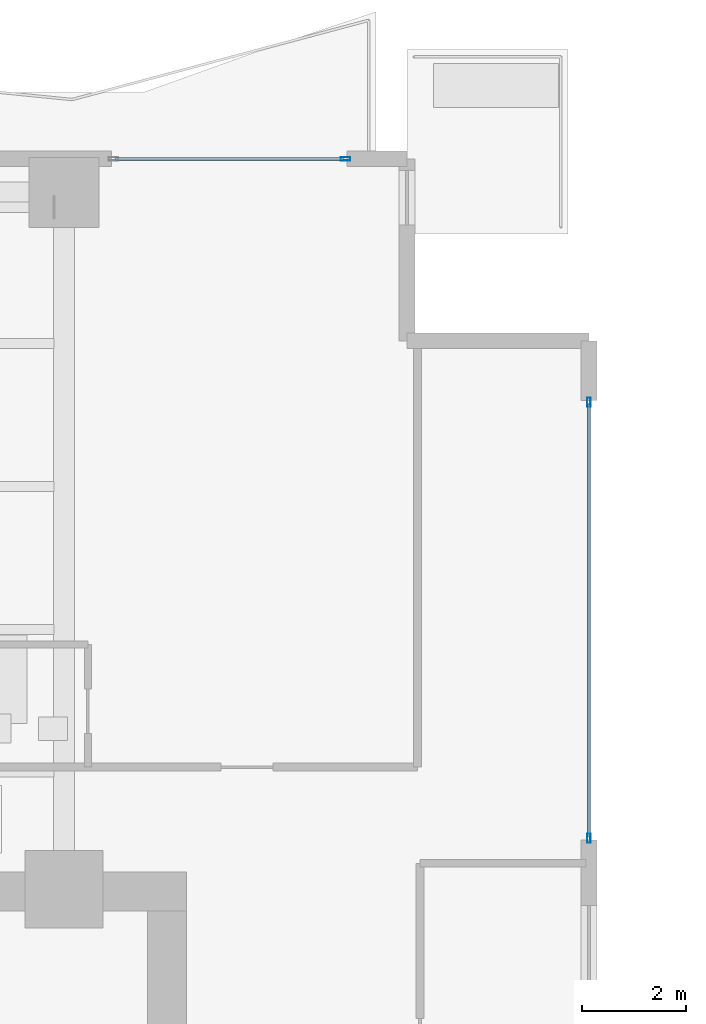
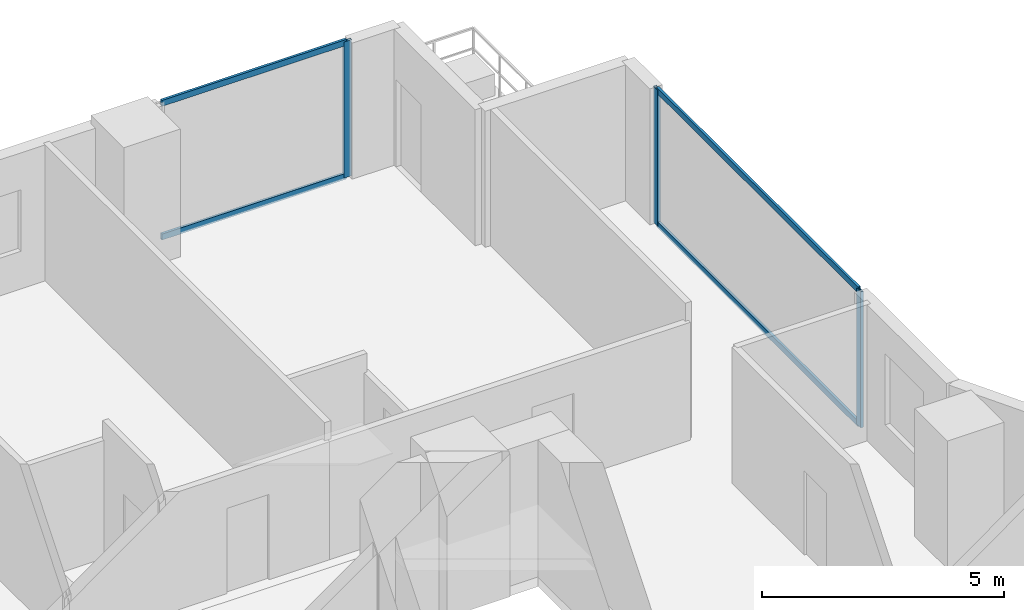
# One storey, part 18 of 29: 7 members, 2 elements without a shape of their own.
"""IFC4 building model written with IfcOpenShell, lengths in metres."""

from ifc_helpers import new_model, si_unit, direction, frame, origin, origin_2d, place, context, subcontext, project, spatial, hollow_rectangle, extrude, material, layer, layer_set, material_profile, profile_set, type_object, element, aggregate, save


model = new_model("IFC4")

# Units and contexts
model_context = context("Model", 3, precision=1e-05, world=origin(), true_north=direction((0.0, 1.0)))
body_context = subcontext(model_context, "Body", "Model", "MODEL_VIEW")
ifc_project = project(units=[si_unit("LENGTHUNIT", "METRE"), si_unit("AREAUNIT", "SQUARE_METRE"), si_unit("VOLUMEUNIT", "CUBIC_METRE"), si_unit("PLANEANGLEUNIT", "RADIAN"), si_unit("MASSUNIT", "GRAM", prefix="KILO")], contexts=[model_context])

# Site, building, storey
site_placement = place(None, origin())
site = spatial("IfcSite", under=ifc_project, at=site_placement, CompositionType="ELEMENT")
building_placement = place(site_placement, origin())
building = spatial("IfcBuilding", under=site, at=building_placement, Name="Zuhayl Quay Hotel", CompositionType="ELEMENT")
storey_placement = place(building_placement, frame((0.0, 0.0, 95.64990234375)))
storey = spatial("IfcBuildingStorey", under=building, at=storey_placement, Name="L23", CompositionType="ELEMENT", Elevation=95.64990234375)

# Curtain wall, member
ifc_material_1 = material(Name="Anodised Aluminium 6063-T6", Category="aluminium")
ifc_layer = layer(ifc_material_1, 0.179931640625, Name="Anodised Aluminium 6063-T6", Category="aluminium")
ifc_layer_set = layer_set([ifc_layer], Name="Anodised Aluminium 6063-T6")
curtain_wall_type = type_object("IfcCurtainWallType", Name="CW_SYS_Z2", PredefinedType="USERDEFINED", material=ifc_layer_set)
curtain_wall_1_placement = place(storey_placement, origin())
curtain_wall_1 = element("IfcCurtainWall", 1, at=curtain_wall_1_placement, inside=storey, type_object=curtain_wall_type, Name="L23 Curtain Wall ENV_L23_N_CW4", ObjectType="UNITISED CURTAIN WALL", PredefinedType="USERDEFINED")
ifc_material_2 = material(Name="Black-anodised aluminium 6063-T6", Category="aluminium")
ifc_material_profile_1 = material_profile(ifc_material_2, hollow_rectangle(XDim=0.06494140625, YDim=0.179931640625, WallThickness=0.00341796875, at=origin_2d()), Name="ALU180X65")
ifc_profile_set_1 = profile_set([ifc_material_profile_1], Name="Black-anodised aluminium 6063-T6")
member_type_1 = type_object("IfcMemberType", Name="MB_CW_MUL_180", PredefinedType="MULLION", material=ifc_profile_set_1)
member_1_placement = place(storey_placement, frame((19.217529296875, 28.39990234375, 0.0), z_axis=(0.0, 0.0, 1.0), x_axis=(0.0, 1.0, 0.0)))
member_1 = element("IfcMember", 2, at=member_1_placement, type_object=member_type_1, Name="CW-Z2 mullion 2", PredefinedType="MULLION", context=body_context, shape_type="SweptSolid", body=[
    extrude(hollow_rectangle(XDim=0.06494140625, YDim=0.179931640625, WallThickness=0.00341796875, at=origin_2d()), origin(), (0.0, 0.0, 1.0), 3.43017578125),
])

# Curtain wall, members
curtain_wall_2_placement = place(storey_placement, origin())
curtain_wall_2 = element("IfcCurtainWall", 3, at=curtain_wall_2_placement, inside=storey, type_object=curtain_wall_type, Name="L23 Curtain Wall ENV_L23_E11_CW1", ObjectType="UNITISED CURTAIN WALL", PredefinedType="USERDEFINED")
member_2_placement = place(storey_placement, frame((23.89990234375, 23.717529296875, 0.0), z_axis=(0.0, 0.0, 1.0), x_axis=(1.0, 0.0, 0.0)))
member_2 = element("IfcMember", 4, at=member_2_placement, type_object=member_type_1, Name="CW-Z2 mullion 1", PredefinedType="MULLION", context=body_context, shape_type="SweptSolid", body=[
    extrude(hollow_rectangle(XDim=0.06494140625, YDim=0.179931640625, WallThickness=0.00341796875, at=origin_2d()), origin(), (0.0, 0.0, 1.0), 3.43017578125),
])
member_3_placement = place(storey_placement, frame((23.89990234375, 15.33251953125, 0.0), z_axis=(0.0, 0.0, 1.0), x_axis=(1.0, 0.0, 0.0)))
member_3 = element("IfcMember", 5, at=member_3_placement, type_object=member_type_1, Name="CW-Z2 mullion 2", PredefinedType="MULLION", context=body_context, shape_type="SweptSolid", body=[
    extrude(hollow_rectangle(XDim=0.06494140625, YDim=0.179931640625, WallThickness=0.00341796875, at=origin_2d()), origin(), (0.0, 0.0, 1.0), 3.43017578125),
])

# Member
ifc_material_profile_2 = material_profile(ifc_material_2, hollow_rectangle(XDim=0.06005859375, YDim=0.14990234375, WallThickness=0.00341796875, at=origin_2d()), Name="ALU150X60")
ifc_profile_set_2 = profile_set([ifc_material_profile_2], Name="Black-anodised aluminium 6063-T6")
member_type_2 = type_object("IfcMemberType", Name="MB_CW_TRN_150", PredefinedType="USERDEFINED", material=ifc_profile_set_2)
member_4_placement = place(storey_placement, frame((14.784912109375, 28.39990234375, 0.030029296875), z_axis=(1.0, 0.0, 0.0), x_axis=(0.0, 1.0, 0.0)))
member_4 = element("IfcMember", 6, at=member_4_placement, type_object=member_type_2, Name="CW-Z2 transom 1.1", ObjectType="TRANSOM", PredefinedType="USERDEFINED", context=body_context, shape_type="SweptSolid", body=[
    extrude(hollow_rectangle(XDim=0.06005859375, YDim=0.14990234375, WallThickness=0.00341796875, at=origin_2d()), origin(), (0.0, 0.0, 1.0), 4.400146484375),
])

member_5_placement = place(storey_placement, frame((14.784912109375, 28.39990234375, 3.400146484375), z_axis=(1.0, 0.0, 0.0), x_axis=(0.0, 1.0, 0.0)))
member_5 = element("IfcMember", 7, at=member_5_placement, type_object=member_type_2, Name="CW-Z2 transom 1.2", ObjectType="TRANSOM", PredefinedType="USERDEFINED", context=body_context, shape_type="SweptSolid", body=[
    extrude(hollow_rectangle(XDim=0.06005859375, YDim=0.14990234375, WallThickness=0.00341796875, at=origin_2d()), origin(), (0.0, 0.0, 1.0), 4.400146484375),
])

aggregate(curtain_wall_1, [member_1, member_4, member_5])

member_6_placement = place(storey_placement, frame((23.89990234375, 23.68505859375, 0.030029296875), z_axis=(0.0, -1.0, 0.0), x_axis=(1.0, 0.0, 0.0)))
member_6 = element("IfcMember", 8, at=member_6_placement, type_object=member_type_2, Name="CW-Z2 transom 1.1", ObjectType="TRANSOM", PredefinedType="USERDEFINED", context=body_context, shape_type="SweptSolid", body=[
    extrude(hollow_rectangle(XDim=0.06005859375, YDim=0.14990234375, WallThickness=0.00341796875, at=origin_2d()), origin(), (0.0, 0.0, 1.0), 8.320068359375),
])

member_7_placement = place(storey_placement, frame((23.89990234375, 23.68505859375, 3.400146484375), z_axis=(0.0, -1.0, 0.0), x_axis=(1.0, 0.0, 0.0)))
member_7 = element("IfcMember", 9, at=member_7_placement, type_object=member_type_2, Name="CW-Z2 transom 1.2", ObjectType="TRANSOM", PredefinedType="USERDEFINED", context=body_context, shape_type="SweptSolid", body=[
    extrude(hollow_rectangle(XDim=0.06005859375, YDim=0.14990234375, WallThickness=0.00341796875, at=origin_2d()), origin(), (0.0, 0.0, 1.0), 8.320068359375),
])

aggregate(curtain_wall_2, [member_2, member_3, member_6, member_7])

save(model, "model.ifc")
